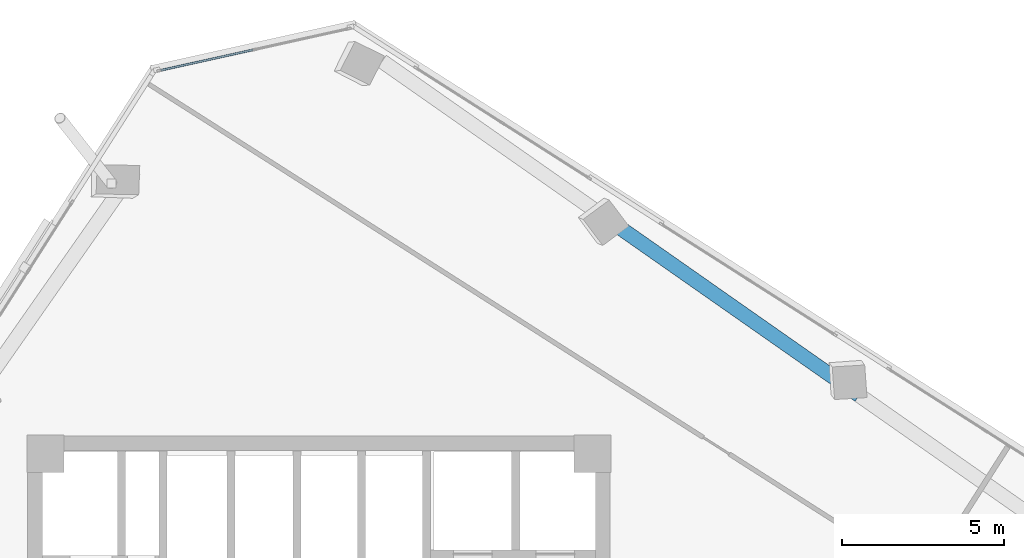
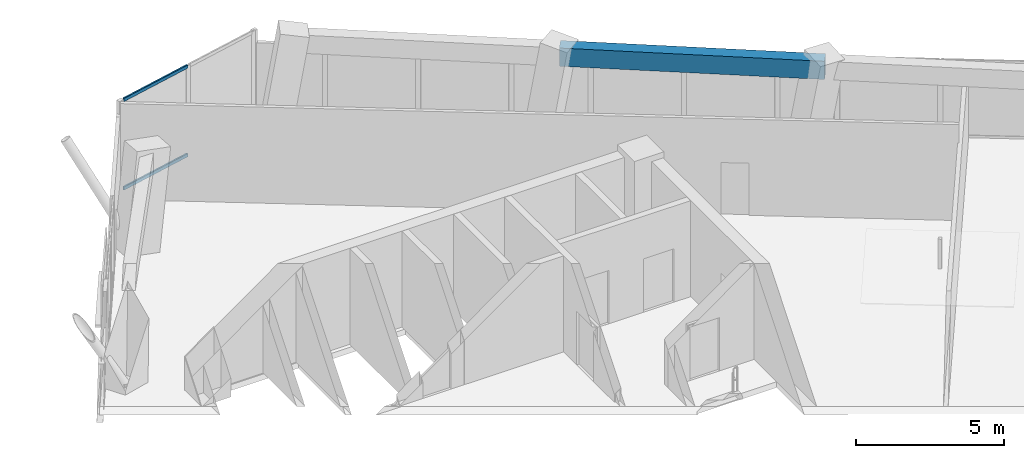
# One storey, part 13 of 24: 2 members, 1 beam, 1 element without a shape of its own.
"""IFC4 building model written with IfcOpenShell, lengths in metres."""

from ifc_helpers import new_model, si_unit, direction, frame, origin, origin_2d, place, context, subcontext, project, spatial, rectangle, hollow_rectangle, extrude, source, transform, mapped, material, material_profile, profile_set, type_object, element, aggregate, save


model = new_model("IFC4")

# Units and contexts
model_context = context("Model", 3, precision=1e-05, world=origin(), true_north=direction((0.0, 1.0)))
body_context = subcontext(model_context, "Body", "Model", "MODEL_VIEW")
ifc_project = project(units=[si_unit("LENGTHUNIT", "METRE"), si_unit("AREAUNIT", "SQUARE_METRE"), si_unit("VOLUMEUNIT", "CUBIC_METRE"), si_unit("PLANEANGLEUNIT", "RADIAN"), si_unit("MASSUNIT", "GRAM", prefix="KILO")], contexts=[model_context])

# Site, building, storey
site_placement = place(None, origin())
site = spatial("IfcSite", under=ifc_project, at=site_placement, CompositionType="ELEMENT")
building_placement = place(site_placement, origin())
building = spatial("IfcBuilding", under=site, at=building_placement, Name="Torre Montelarca", CompositionType="ELEMENT")
storey_placement = place(building_placement, frame((0.0, 0.0, 191.800048828125)))
storey = spatial("IfcBuildingStorey", under=building, at=storey_placement, Name="L43", CompositionType="ELEMENT", Elevation=191.800048828125)

# Beam
ifc_material_1 = material(Name="Concrete C55/67", Category="concrete")
ifc_material_profile_1 = material_profile(ifc_material_1, rectangle(XDim=0.449951171875, YDim=0.75, at=origin_2d()), Name="RCB450X750", Category="concrete")
ifc_profile_set_1 = profile_set([ifc_material_profile_1], Name="Concrete C55/67")
beam_type = type_object("IfcBeamType", Name="BM-SP-RC750-EXT", PredefinedType="SPANDREL", material=ifc_profile_set_1)
shared_shape_1 = source(origin(), body_context, "Body", "SweptSolid", [
    extrude(rectangle(XDim=0.449951171875, YDim=0.75, at=origin_2d()), origin(), (0.0, 0.0, 1.0), 9.0),
])
beam_placement = place(storey_placement, frame((27.32275390625, 46.417724609375, 3.5849609375), z_axis=(0.819154173185, -0.573573395961, 0.0), x_axis=(0.573573395961, 0.819154173185, 0.0)))
element("IfcBeam", 1, at=beam_placement, inside=storey, type_object=beam_type, Name="L43 Grid Girder X 18.0-27.0 at Y=47.1", PredefinedType="SPANDREL", context=body_context, shape_type="MappedRepresentation", body=[
    mapped(shared_shape_1, transform((0.0, 0.0, 0.0), scale=1.0)),
])

# Curtain wall, members
ifc_material_2 = material(Name="Insulated low-E laminated glass", Category="glass")
curtain_wall_type = type_object("IfcCurtainWallType", Name="CW-SYS-Z2", PredefinedType="USERDEFINED", material=ifc_material_2)
curtain_wall_placement = place(storey_placement, origin())
curtain_wall = element("IfcCurtainWall", 2, at=curtain_wall_placement, inside=storey, type_object=curtain_wall_type, Name="L43 Curtain Wall Run CW-T3-L43-E09-B1", ObjectType="UNITISED GLAZING", PredefinedType="USERDEFINED")
ifc_material_3 = material(Name="Anodised aluminium AA 6063-T6", Category="aluminium")
ifc_material_profile_2 = material_profile(ifc_material_3, hollow_rectangle(XDim=0.06494140625, YDim=0.139892578125, WallThickness=0.00390625, InnerFilletRadius=0.00390625, OuterFilletRadius=0.008056640625, at=origin_2d()), Name="ALU65X140X4", Category="aluminium")
ifc_profile_set_2 = profile_set([ifc_material_profile_2], Name="Anodised aluminium AA 6063-T6")
member_type = type_object("IfcMemberType", Name="CWT-ALU140", PredefinedType="USERDEFINED", material=ifc_profile_set_2)
shared_shape_2 = source(origin(), body_context, "Body", "SweptSolid", [
    extrude(hollow_rectangle(XDim=0.06494140625, YDim=0.139892578125, WallThickness=0.00390625, InnerFilletRadius=0.00390625, OuterFilletRadius=0.008056640625, at=origin_2d()), origin(), (0.0, 0.0, 1.0), 2.918701171875),
])
member_1_placement = place(storey_placement, frame((15.96142578125, 51.9326171875, 0.032470703125), z_axis=(-0.976289292082, -0.216469901294, 0.0), x_axis=(0.216469901294, -0.976289292082, 0.0)))
member_1 = element("IfcMember", 3, at=member_1_placement, type_object=member_type, Name="CW transom 2.1", ObjectType="TRANSOM", PredefinedType="USERDEFINED", context=body_context, shape_type="MappedRepresentation", body=[
    mapped(shared_shape_2, transform((0.0, 0.0, 0.0), scale=1.0)),
])
member_2_placement = place(storey_placement, frame((15.96142578125, 51.9326171875, 3.6875), z_axis=(-0.976289292082, -0.216469901294, 0.0), x_axis=(0.216469901294, -0.976289292082, 0.0)))
member_2 = element("IfcMember", 4, at=member_2_placement, type_object=member_type, Name="CW transom 2.2", ObjectType="TRANSOM", PredefinedType="USERDEFINED", context=body_context, shape_type="MappedRepresentation", body=[
    mapped(shared_shape_2, transform((0.0, 0.0, 0.0), scale=1.0)),
])
aggregate(curtain_wall, [member_1, member_2])

save(model, "model.ifc")
